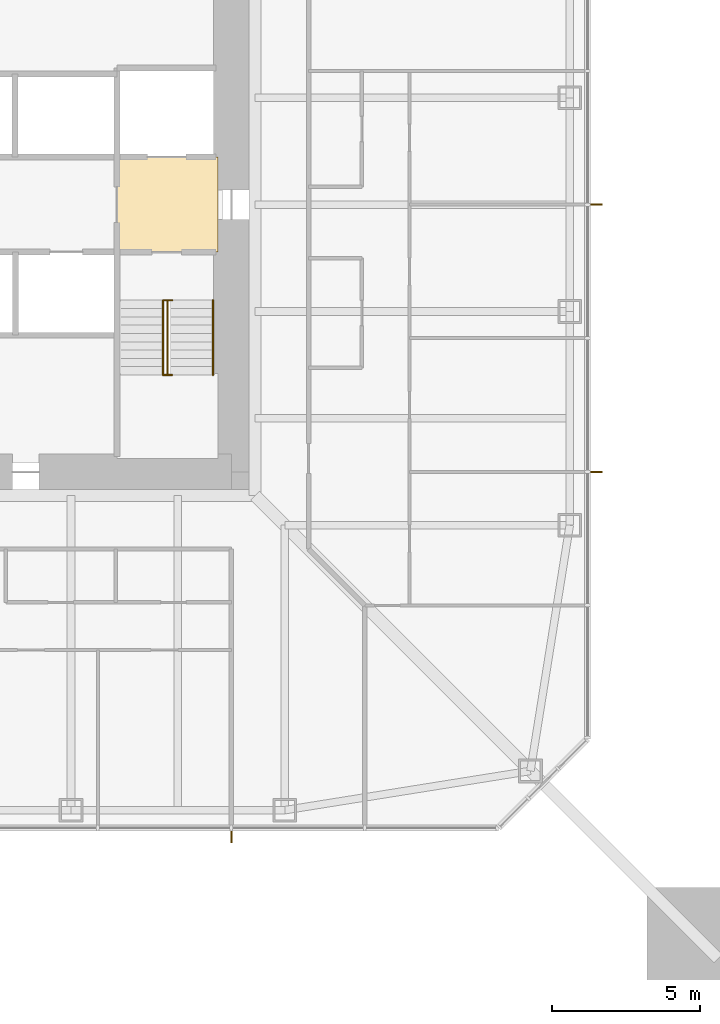
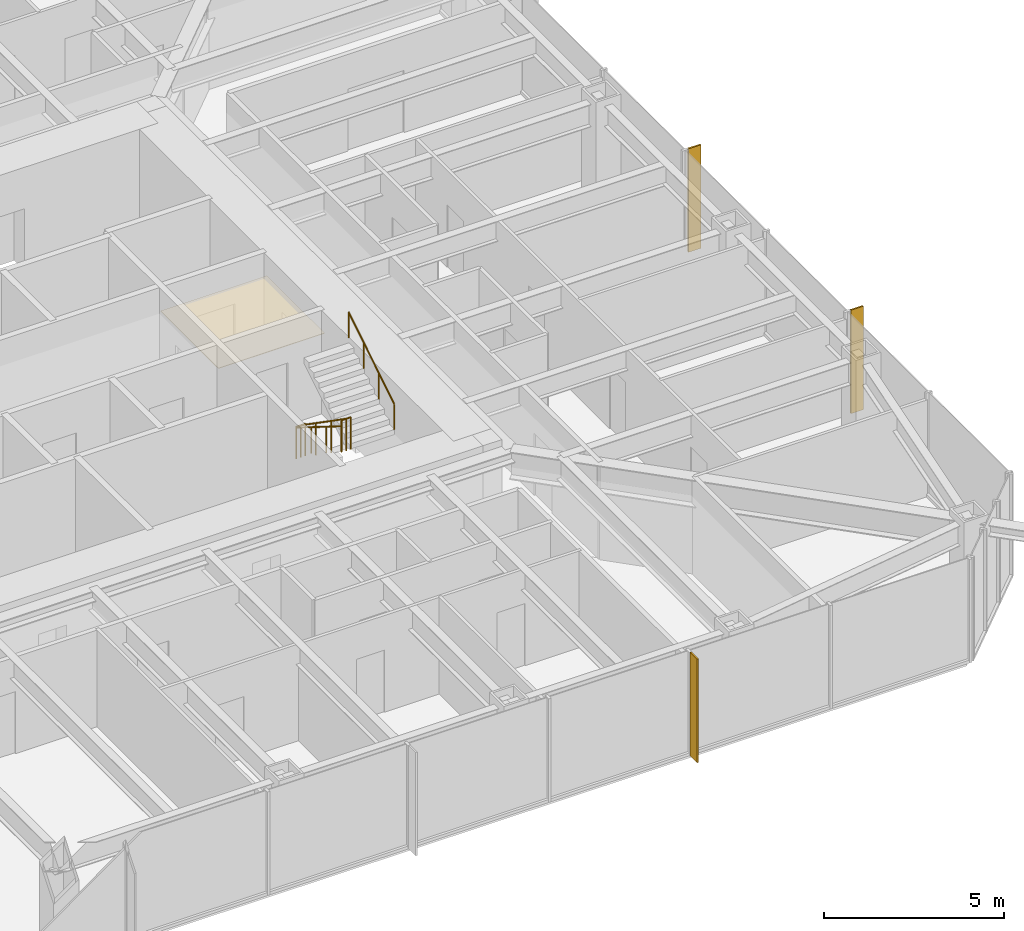
# One storey, part 23 of 25: 3 railings, 3 shading devices, 1 covering.
"""IFC4 building model written with IfcOpenShell, lengths in metres."""

from ifc_helpers import new_model, si_unit, direction, frame, origin, origin_2d, place, context, subcontext, project, spatial, polyline, rectangle, circle, outline, extrude, material, layer, layer_set, constituent, constituent_set, type_object, element, save


model = new_model("IFC4")

# Units and contexts
model_context = context("Model", 3, precision=1e-05, world=origin(), true_north=direction((0.0, 1.0)))
body_context = subcontext(model_context, "Body", "Model", "MODEL_VIEW")
ifc_project = project(units=[si_unit("LENGTHUNIT", "METRE"), si_unit("AREAUNIT", "SQUARE_METRE"), si_unit("VOLUMEUNIT", "CUBIC_METRE"), si_unit("PLANEANGLEUNIT", "RADIAN"), si_unit("MASSUNIT", "GRAM", prefix="KILO")], contexts=[model_context])

# Site, building, storey
site_placement = place(None, origin())
site = spatial("IfcSite", under=ifc_project, at=site_placement, CompositionType="ELEMENT")
building_placement = place(site_placement, origin())
building = spatial("IfcBuilding", under=site, at=building_placement, Name="Iwan Alto Co-Living Towers", CompositionType="ELEMENT")
storey_placement = place(building_placement, frame((0.0, 0.0, 112.0)))
storey = spatial("IfcBuildingStorey", under=building, at=storey_placement, Name="L30", CompositionType="ELEMENT", Elevation=112.0)

# Covering
ifc_material_1 = material(Name="Mineral fibre acoustic tiles on steel grid", Category="steel")
ifc_layer_1 = layer(ifc_material_1, 0.02001953125)
ifc_layer_set_1 = layer_set([ifc_layer_1], Name="ACOUSTIC TILE CEILING 20")
covering_type = type_object("IfcCoveringType", Name="ACOUSTIC TILE CEILING 20", PredefinedType="CEILING", material=ifc_layer_set_1)
covering_placement = place(storey_placement, frame((0.0, 0.0, 2.60009765625)))
element("IfcCovering", 1, at=covering_placement, inside=storey, type_object=covering_type, Name="Ceiling Firefighting lobby L30", PredefinedType="CEILING", context=body_context, shape_type="SweptSolid", body=[
    extrude(outline(polyline([(5.14990234375, -1.60009765625), (5.14990234375, 1.60009765625), (8.550048828125, 1.60009765625), (8.550048828125, -1.60009765625), (5.14990234375, -1.60009765625)])), origin(), (0.0, 0.0, 1.0), 0.02001953125),
])

# Shading devices
ifc_material_2 = material(Name="Aluminium 6063-T6 bronze anodised", Category="aluminium")
ifc_layer_2 = layer(ifc_material_2, 0.050048828125)
ifc_layer_set_2 = layer_set([ifc_layer_2], Name="BRONZE FIN 50X400")
shading_device_type = type_object("IfcShadingDeviceType", Name="BRONZE FIN 50X400", PredefinedType="USERDEFINED", material=ifc_layer_set_2)
for number, where, z_axis, x_axis, name in (
    (2, (9.0, -21.300048828125, 0.0), (0.0, 0.0, 1.0), (1.0, 0.0, 0.0), "Bronze fin L30"),
    (3, (21.300048828125, -9.0, 0.0), (0.0, 0.0, 1.0), (0.0, 1.0, 0.0), "Bronze fin L30"),
    (4, (21.300048828125, 0.0, 0.0), (0.0, 0.0, 1.0), (0.0, 1.0, 0.0), "Bronze fin L30"),
):
    element("IfcShadingDevice", number, at=place(storey_placement, frame(where, z_axis=z_axis, x_axis=x_axis)), inside=storey, type_object=shading_device_type, Name=name, ObjectType="LOUVER", PredefinedType="USERDEFINED", context=body_context, shape_type="SweptSolid", body=[
        extrude(rectangle(XDim=0.050048828125, YDim=0.39990234375, at=origin_2d()), origin(), (0.0, 0.0, 1.0), 3.5),
    ])

# Railings
ifc_material_3 = material(Name="Steel ASTM A500 Gr C", Category="steel")
ifc_constituent_1 = constituent(ifc_material_3, Name="Rails and posts", Category="Framing")
ifc_material_4 = material(Name="Steel ASTM A36", Category="steel")
ifc_constituent_2 = constituent(ifc_material_4, Name="Bar infill", Category="Infill")
ifc_constituent_set = constituent_set(constituents=[ifc_constituent_1, ifc_constituent_2], Name="STAIR GUARD 1100")
railing_type_1 = type_object("IfcRailingType", Name="STAIR GUARD 1100", PredefinedType="GUARDRAIL", material=ifc_constituent_set)
railing_1_placement = place(storey_placement, frame((6.85009765625, -3.219970703125, 0.0)))
element("IfcRailing", 5, at=railing_1_placement, inside=storey, type_object=railing_type_1, Name="Stair T1-S2 well guard L30", PredefinedType="GUARDRAIL", context=body_context, shape_type="SweptSolid", body=[
    extrude(circle(Radius=0.02392578125, at=origin_2d()), frame((0.0, 0.0, 1.076171875), z_axis=(0.0, -0.821372036852, 0.570392826987), x_axis=(1.0, 0.0, 0.0)), (0.0, 0.0, 1.0), 3.068115234375),
    extrude(circle(Radius=0.02392578125, at=origin_2d()), frame((-0.150146484375, 0.0, 1.076171875), z_axis=(1.0, 0.0, 0.0), x_axis=(0.0, 1.0, 0.0)), (0.0, 0.0, 1.0), 0.300048828125),
    extrude(circle(Radius=0.02392578125, at=origin_2d()), frame((-0.150146484375, -2.52001953125, 2.826171875), z_axis=(1.0, 0.0, 0.0), x_axis=(0.0, 1.0, 0.0)), (0.0, 0.0, 1.0), 0.300048828125),
    extrude(circle(Radius=0.02099609375, at=origin_2d()), origin(), (0.0, 0.0, 1.0), 1.052001953125),
    extrude(circle(Radius=0.02099609375, at=origin_2d()), frame((0.0, -0.840087890625, 0.583251953125)), (0.0, 0.0, 1.0), 1.052001953125),
    extrude(circle(Radius=0.02099609375, at=origin_2d()), frame((0.0, -1.679931640625, 1.166748046875)), (0.0, 0.0, 1.0), 1.052001953125),
    extrude(circle(Radius=0.02099609375, at=origin_2d()), frame((0.0, -2.52001953125, 1.75)), (0.0, 0.0, 1.0), 1.052001953125),
    extrude(circle(Radius=0.02099609375, at=origin_2d()), frame((-0.150146484375, 0.0, 0.0)), (0.0, 0.0, 1.0), 1.052001953125),
    extrude(circle(Radius=0.02099609375, at=origin_2d()), frame((0.14990234375, 0.0, 0.0)), (0.0, 0.0, 1.0), 1.052001953125),
    extrude(circle(Radius=0.02099609375, at=origin_2d()), frame((-0.150146484375, -2.52001953125, 1.75)), (0.0, 0.0, 1.0), 1.052001953125),
    extrude(circle(Radius=0.02099609375, at=origin_2d()), frame((0.14990234375, -2.52001953125, 1.75)), (0.0, 0.0, 1.0), 1.052001953125),
])
ifc_material_5 = material(Name="Steel ASTM A500 Gr C", Category="steel")
railing_type_2 = type_object("IfcRailingType", Name="STAIR HANDRAIL 900", PredefinedType="HANDRAIL", material=ifc_material_5)
railing_2_placement = place(storey_placement, frame((6.699951171875, -3.219970703125, 0.175048828125)))
element("IfcRailing", 6, at=railing_2_placement, inside=storey, type_object=railing_type_2, Name="Stair T1-S2 handrail 1 L30", PredefinedType="HANDRAIL", context=body_context, shape_type="SweptSolid", body=[
    extrude(circle(Radius=0.02392578125, at=origin_2d()), frame((0.0, 0.0, 0.8759765625), z_axis=(0.0, -0.848007534815, 0.529984170421), x_axis=(1.0, 0.0, 0.0)), (0.0, 0.0, 1.0), 2.9716796875),
    extrude(circle(Radius=0.02099609375, at=origin_2d()), origin(), (0.0, 0.0, 1.0), 0.851806640625),
    extrude(circle(Radius=0.02099609375, at=origin_2d()), frame((0.0, -0.840087890625, 0.52490234375)), (0.0, 0.0, 1.0), 0.851806640625),
    extrude(circle(Radius=0.02099609375, at=origin_2d()), frame((0.0, -1.679931640625, 1.050048828125)), (0.0, 0.0, 1.0), 0.851806640625),
    extrude(circle(Radius=0.02099609375, at=origin_2d()), frame((0.0, -2.52001953125, 1.574951171875)), (0.0, 0.0, 1.0), 0.851806640625),
])
railing_3_placement = place(storey_placement, frame((8.3798828125, -5.739990234375, 1.925048828125)))
element("IfcRailing", 7, at=railing_3_placement, inside=storey, type_object=railing_type_2, Name="Stair T1-S2 handrail 2 L30", PredefinedType="HANDRAIL", context=body_context, shape_type="SweptSolid", body=[
    extrude(circle(Radius=0.02392578125, at=origin_2d()), frame((0.0, 0.0, 0.8759765625), z_axis=(0.0, 0.848007534815, 0.529984170421), x_axis=(-1.0, 0.0, 0.0)), (0.0, 0.0, 1.0), 2.9716796875),
    extrude(circle(Radius=0.02099609375, at=origin_2d()), origin(), (0.0, 0.0, 1.0), 0.851806640625),
    extrude(circle(Radius=0.02099609375, at=origin_2d()), frame((0.0, 0.840087890625, 0.52490234375)), (0.0, 0.0, 1.0), 0.851806640625),
    extrude(circle(Radius=0.02099609375, at=origin_2d()), frame((0.0, 1.679931640625, 1.050048828125)), (0.0, 0.0, 1.0), 0.851806640625),
    extrude(circle(Radius=0.02099609375, at=origin_2d()), frame((0.0, 2.52001953125, 1.574951171875)), (0.0, 0.0, 1.0), 0.851806640625),
])

save(model, "model.ifc")
